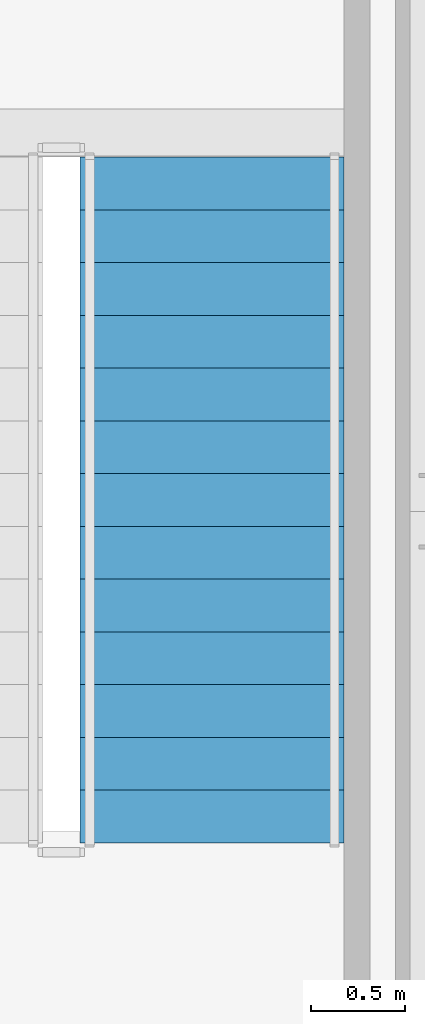
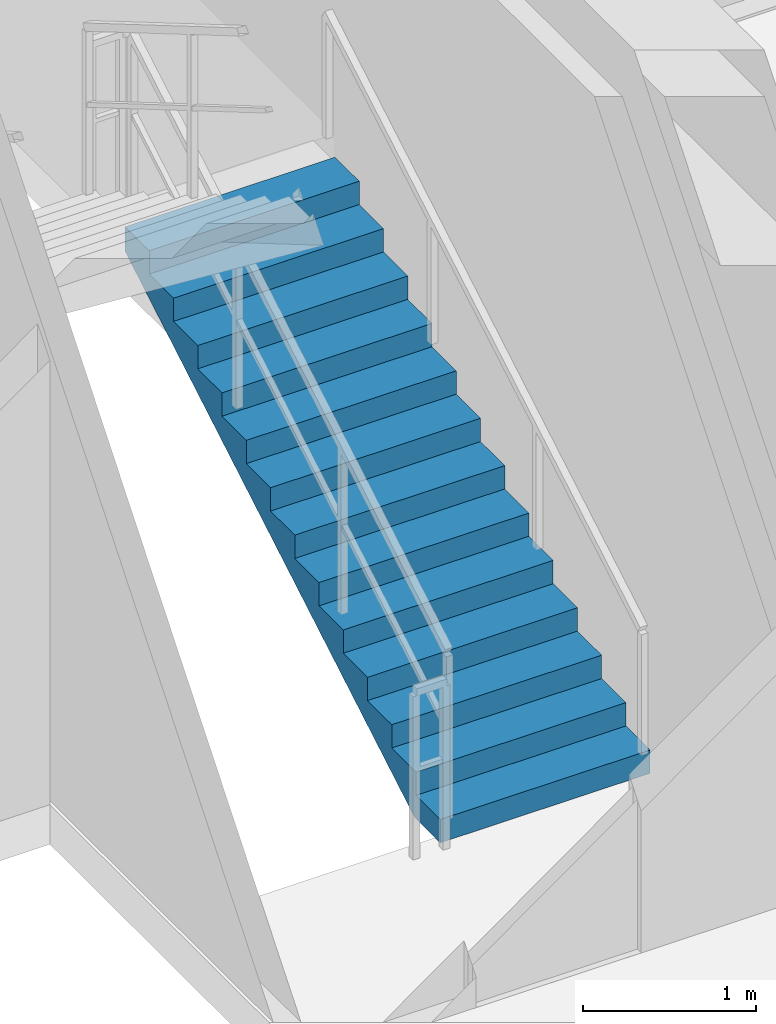
# One storey, part 6 of 9: 1 stair flight, 1 element without a shape of its own.
"""IFC4 building model written with IfcOpenShell, lengths in metres."""

from ifc_helpers import new_model, si_unit, direction, frame, origin, place, context, subcontext, project, spatial, polyline, outline, extrude, source, transform, mapped, material, type_object, element, aggregate, save


model = new_model("IFC4")

# Units and contexts
model_context = context("Model", 3, precision=1e-05, world=origin(), true_north=direction((0.0, 1.0)))
body_context = subcontext(model_context, "Body", "Model", "MODEL_VIEW")
ifc_project = project(units=[si_unit("LENGTHUNIT", "METRE"), si_unit("AREAUNIT", "SQUARE_METRE"), si_unit("VOLUMEUNIT", "CUBIC_METRE"), si_unit("PLANEANGLEUNIT", "RADIAN"), si_unit("MASSUNIT", "GRAM", prefix="KILO"), si_unit("THERMODYNAMICTEMPERATUREUNIT", "KELVIN"), si_unit("POWERUNIT", "WATT")], contexts=[model_context])

# Site, building, storey
site_placement = place(None, origin())
site = spatial("IfcSite", under=ifc_project, at=site_placement, CompositionType="ELEMENT")
building_placement = place(site_placement, origin())
building = spatial("IfcBuilding", under=site, at=building_placement, Name="Yuzanri Waterfront Tower", CompositionType="ELEMENT")
storey_placement = place(building_placement, frame((0.0, 0.0, 176.39990234375)))
storey = spatial("IfcBuildingStorey", under=building, at=storey_placement, Name="L46", CompositionType="ELEMENT", Elevation=176.39990234375)

# Stair, stair flight
ifc_material_1 = material(Name="Concrete C40", Category="concrete")
stair_type = type_object("IfcStairType", Name="Concrete C40 Core Dogleg Exit Stair", PredefinedType="HALF_TURN_STAIR", material=ifc_material_1)
stair_placement = place(storey_placement, origin())
stair = element("IfcStair", 1, at=stair_placement, inside=storey, type_object=stair_type, Name="L46 Smoke-Proof Core Stair ST-02", PredefinedType="HALF_TURN_STAIR")
ifc_material_2 = material(Name="Concrete C40", Category="concrete")
stair_flight_type = type_object("IfcStairFlightType", Name="Concrete C40 Tall-Storey Precast Stair Flight 1380", PredefinedType="STRAIGHT", material=ifc_material_2)
shared_shape = source(origin(), body_context, "Body", "SweptSolid", [
    extrude(outline(polyline([(0.0, 0.0), (0.0, 0.164306640625), (0.280029296875, 0.164306640625), (0.280029296875, 0.32861328125), (0.56005859375, 0.32861328125), (0.56005859375, 0.492919921875), (0.840087890625, 0.492919921875), (0.840087890625, 0.6572265625), (1.1201171875, 0.6572265625), (1.1201171875, 0.821533203125), (1.39990234375, 0.821533203125), (1.39990234375, 0.985595703125), (1.679931640625, 0.985595703125), (1.679931640625, 1.14990234375), (1.9599609375, 1.14990234375), (1.9599609375, 1.314208984375), (2.239990234375, 1.314208984375), (2.239990234375, 1.478515625), (2.52001953125, 1.478515625), (2.52001953125, 1.642822265625), (2.800048828125, 1.642822265625), (2.800048828125, 1.80712890625), (3.080078125, 1.80712890625), (3.080078125, 1.971435546875), (3.360107421875, 1.971435546875), (3.360107421875, 2.1357421875), (3.639892578125, 2.1357421875), (3.639892578125, 2.300048828125), (3.639892578125, 1.9619140625), (0.296142578125, 0.0), (0.0, 0.0)])), frame((0.0, 0.699951171875, 0.0), z_axis=(0.0, -1.0, 0.0), x_axis=(1.0, 0.0, 0.0)), (0.0, 0.0, 1.0), 1.39990234375),
])
stair_flight_placement = place(storey_placement, frame((48.89990234375, 24.0400390625, 0.0), z_axis=(0.0, 0.0, 1.0), x_axis=(0.0, 1.0, 0.0)))
stair_flight = element("IfcStairFlight", 2, at=stair_flight_placement, type_object=stair_flight_type, Name="ST-02 flight 1", NumberOfRisers=14, NumberOfTreads=13, PredefinedType="STRAIGHT", RiserHeight=0.164285714, TreadLength=0.28, context=body_context, shape_type="MappedRepresentation", body=[
    mapped(shared_shape, transform((0.0, 0.0, 0.0), scale=1.0)),
])
aggregate(stair, [stair_flight])

save(model, "model.ifc")
